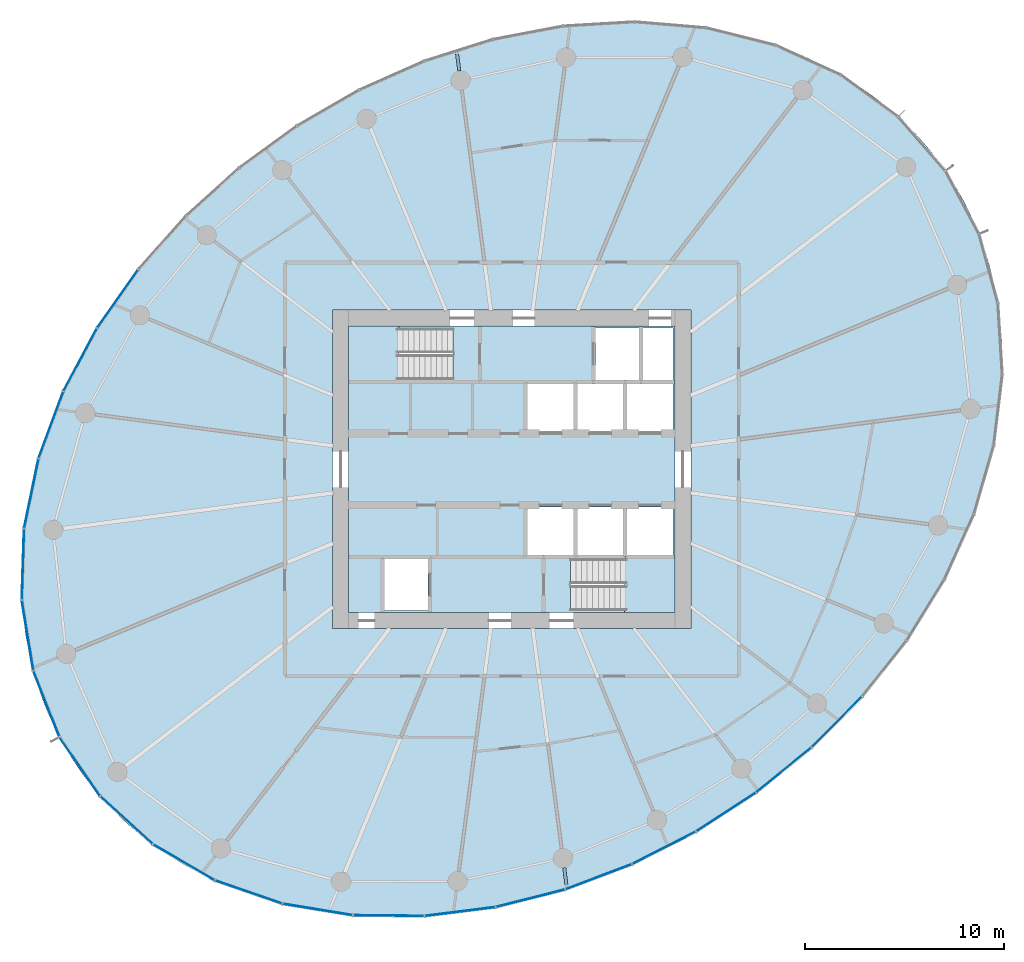
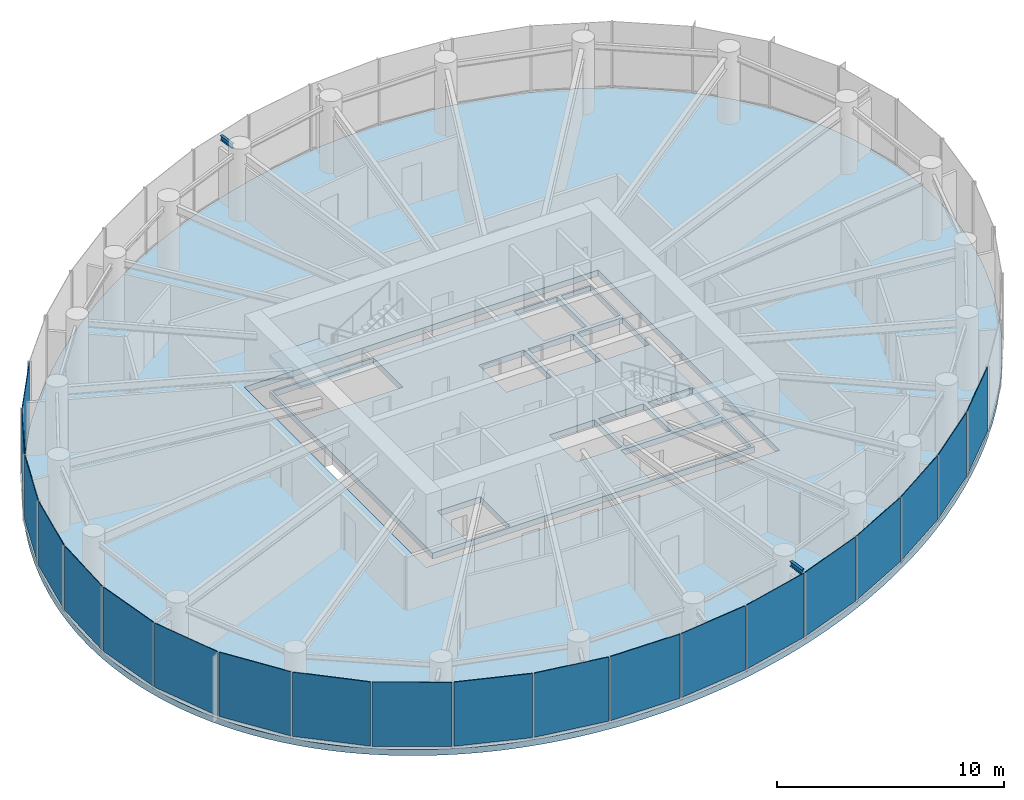
# One storey, part 7 of 14: 20 plates, 4 slabs, 2 beams, 6 elements without a shape of their own.
"""IFC4 building model written with IfcOpenShell, lengths in metres."""

from ifc_helpers import new_model, si_unit, direction, frame, origin, origin_2d, place, context, subcontext, project, spatial, line, indexed_curve, rectangle, i_section, outline, extrude, source, transform, mapped, material, layer, layer_set, material_profile, profile_set, type_object, element, aggregate, save


model = new_model("IFC4")

# Units and contexts
model_context = context("Model", 3, precision=1e-05, world=origin(), true_north=direction((0.0, 1.0)))
body_context = subcontext(model_context, "Body", "Model", "MODEL_VIEW")
ifc_project = project(units=[si_unit("LENGTHUNIT", "METRE"), si_unit("AREAUNIT", "SQUARE_METRE"), si_unit("VOLUMEUNIT", "CUBIC_METRE"), si_unit("PLANEANGLEUNIT", "RADIAN"), si_unit("MASSUNIT", "GRAM", prefix="KILO")], contexts=[model_context])

# Site, building, storey
site_placement = place(None, origin())
site = spatial("IfcSite", under=ifc_project, at=site_placement, CompositionType="ELEMENT")
building_placement = place(site_placement, origin())
building = spatial("IfcBuilding", under=site, at=building_placement, Name="Spindrift Exchange Tower", CompositionType="ELEMENT")
storey_placement = place(building_placement, frame((0.0, 0.0, 148.699951171875)))
storey = spatial("IfcBuildingStorey", under=building, at=storey_placement, Name="L35", CompositionType="ELEMENT", Elevation=148.699951171875)

# Beams
ifc_material_1 = material(Name="Steel Grade 300", Category="steel")
ifc_material_profile = material_profile(ifc_material_1, i_section(OverallWidth=0.14599609375, OverallDepth=0.251953125, WebThickness=0.006103515625, FlangeThickness=0.008544921875, FilletRadius=0.011962890625, at=origin_2d()), Name="250UB31.4")
ifc_profile_set = profile_set([ifc_material_profile], Name="Steel Grade 300")
beam_type = type_object("IfcBeamType", Name="Cantilever Beam 250UB31.4 Steel Grade 300", PredefinedType="BEAM", material=ifc_profile_set)
shared_shape_1 = source(origin(), body_context, "Body", "SweptSolid", [
    extrude(i_section(OverallWidth=0.14599609375, OverallDepth=0.251953125, WebThickness=0.006103515625, FlangeThickness=0.008544921875, FilletRadius=0.011962890625, at=origin_2d()), origin(), (0.0, 0.0, 1.0), 0.859619140625),
])
for number, where, z_axis, x_axis, name in (
    (1, (49.36328125, 68.027099609375, 3.4541015625), (-0.130359005339, 0.991466857604, 0.0), (-0.991466857604, -0.130359005339, 0.0), "L35 cantilever beam R07T"),
    (2, (54.63671875, 27.972900390625, 3.4541015625), (0.130359005339, -0.991466857604, 0.0), (0.991466857604, 0.130359005339, 0.0), "L35 cantilever beam R19T"),
):
    element("IfcBeam", number, at=place(storey_placement, frame(where, z_axis=z_axis, x_axis=x_axis)), inside=storey, type_object=beam_type, Name=name, PredefinedType="BEAM", context=body_context, shape_type="MappedRepresentation", body=[
        mapped(shared_shape_1, transform((0.0, 0.0, 0.0), scale=1.0)),
    ])

# Slabs
ifc_material_2 = material(Name="Concrete 40 MPa", Category="concrete")
ifc_layer_1 = layer(ifc_material_2, 0.320068359375)
ifc_layer_set_1 = layer_set([ifc_layer_1], Name="RC Floor Slab 320 Concrete 40 MPa")
slab_type_1 = type_object("IfcSlabType", Name="RC Floor Slab 320 Concrete 40 MPa", PredefinedType="FLOOR", material=ifc_layer_set_1)
slab_1_placement = place(storey_placement, frame((0.0, 0.0, -0.320068359375)))
element("IfcSlab", 3, at=slab_1_placement, inside=storey, type_object=slab_type_1, Name="Floor slab L35", PredefinedType="FLOOR", context=body_context, shape_type="SweptSolid", body=[
    extrude(outline(indexed_curve([(73.79736328125, 63.002685546875), (73.560302734375, 63.337646484375), (73.314697265625, 63.666259765625), (73.060546875, 63.98828125), (72.7978515625, 64.303466796875), (72.52734375, 64.61181640625), (72.248779296875, 64.9130859375), (71.96240234375, 65.20703125), (71.668701171875, 65.493408203125), (71.367919921875, 65.7724609375), (71.06005859375, 66.043701171875), (70.745361328125, 66.306884765625), (70.42431640625, 66.562255859375), (70.096923828125, 66.809814453125), (69.4248046875, 67.2802734375), (68.730712890625, 67.7177734375), (68.376220703125, 67.92431640625), (67.6533203125, 68.312255859375), (66.91357421875, 68.667236328125), (66.537841796875, 68.832275390625), (65.7763671875, 69.137939453125), (65.002685546875, 69.4111328125), (64.61181640625, 69.53564453125), (63.82275390625, 69.760986328125), (63.025390625, 69.954833984375), (62.624267578125, 70.040283203125), (61.817138671875, 70.188720703125), (61.41162109375, 70.251708984375), (60.597900390625, 70.355712890625), (59.78076171875, 70.43115234375), (59.371337890625, 70.458251953125), (58.961669921875, 70.478515625), (58.141357421875, 70.49853515625), (57.73095703125, 70.49853515625), (56.91064453125, 70.47900390625), (56.09130859375, 70.433837890625), (55.682373046875, 70.40185546875), (54.865966796875, 70.319580078125), (54.458740234375, 70.269287109375), (54.05224609375, 70.213134765625), (53.2421875, 70.08349609375), (52.83837890625, 70.010009765625), (52.034423828125, 69.845947265625), (51.63427734375, 69.755859375), (50.83740234375, 69.55908203125), (50.44140625, 69.45263671875), (49.6533203125, 69.224365234375), (49.261474609375, 69.102294921875), (48.48291015625, 68.84326171875), (47.711181640625, 68.564453125), (47.327880859375, 68.41748046875), (46.94677734375, 68.26611328125), (46.18994140625, 67.94873046875), (45.814697265625, 67.782958984375), (45.0703125, 67.437744140625), (43.969970703125, 66.885986328125), (42.890380859375, 66.294921875), (41.8330078125, 65.6650390625), (41.140869140625, 65.224365234375), (40.45947265625, 64.767333984375), (39.7890625, 64.2939453125), (39.130126953125, 63.804931640625), (38.164306640625, 63.0419921875), (37.2265625, 62.244873046875), (36.318603515625, 61.4140625), (35.730224609375, 60.842041015625), (35.44140625, 60.550537109375), (34.874755859375, 59.95703125), (34.596923828125, 59.655029296875), (34.322998046875, 59.349609375), (33.787109375, 58.728515625), (33.52490234375, 58.41259765625), (33.01318359375, 57.771240234375), (32.763671875, 57.445556640625), (32.277587890625, 56.784423828125), (31.809326171875, 56.110595703125), (31.58203125, 55.76904296875), (31.141845703125, 55.07666015625), (30.92919921875, 54.725830078125), (30.5185546875, 54.015380859375), (30.321044921875, 53.65576171875), (30.128662109375, 53.293212890625), (29.76025390625, 52.560302734375), (29.584228515625, 52.189453125), (29.24951171875, 51.4404296875), (28.938232421875, 50.68115234375), (28.791748046875, 50.2978515625), (28.517578125, 49.5244140625), (28.39013671875, 49.134521484375), (28.1552734375, 48.348388671875), (28.048095703125, 47.952392578125), (27.8544921875, 47.15478515625), (27.7685546875, 46.753662109375), (27.618896484375, 45.947021484375), (27.555419921875, 45.54150390625), (27.451904296875, 44.7275390625), (27.380615234375, 43.91015625), (27.357421875, 43.50048828125), (27.336181640625, 42.680419921875), (27.349853515625, 41.85986328125), (27.369873046875, 41.4501953125), (27.437255859375, 40.63232421875), (27.54150390625, 39.818603515625), (27.607666015625, 39.41357421875), (27.7685546875, 38.60888671875), (27.968017578125, 37.81298828125), (28.082275390625, 37.419189453125), (28.2060546875, 37.028076171875), (28.33984375, 36.639892578125), (28.483154296875, 36.255615234375), (28.63623046875, 35.875), (28.798828125, 35.498291015625), (28.97119140625, 35.1259765625), (29.153076171875, 34.75830078125), (29.344482421875, 34.395263671875), (29.545166015625, 34.03759765625), (29.755126953125, 33.68505859375), (29.974365234375, 33.338134765625), (30.20263671875, 32.997314453125), (30.439697265625, 32.662353515625), (30.685302734375, 32.333740234375), (30.939453125, 32.01171875), (31.2021484375, 31.696533203125), (31.47265625, 31.38818359375), (31.751220703125, 31.0869140625), (32.03759765625, 30.79296875), (32.331298828125, 30.506591796875), (32.632080078125, 30.2275390625), (32.93994140625, 29.956298828125), (33.254638671875, 29.693115234375), (33.57568359375, 29.437744140625), (33.903076171875, 29.190185546875), (34.5751953125, 28.7197265625), (35.269287109375, 28.2822265625), (35.623779296875, 28.07568359375), (36.3466796875, 27.687744140625), (37.08642578125, 27.332763671875), (37.462158203125, 27.167724609375), (38.2236328125, 26.862060546875), (38.997314453125, 26.5888671875), (39.38818359375, 26.46435546875), (40.17724609375, 26.239013671875), (40.974609375, 26.045166015625), (41.375732421875, 25.959716796875), (42.182861328125, 25.811279296875), (42.58837890625, 25.748291015625), (43.402099609375, 25.644287109375), (44.21923828125, 25.56884765625), (44.628662109375, 25.541748046875), (45.038330078125, 25.521484375), (45.858642578125, 25.50146484375), (46.67919921875, 25.5078125), (47.08935546875, 25.52099609375), (47.90869140625, 25.566162109375), (48.317626953125, 25.59814453125), (49.134033203125, 25.680419921875), (49.541259765625, 25.730712890625), (49.94775390625, 25.786865234375), (50.7578125, 25.91650390625), (51.16162109375, 25.989990234375), (51.965576171875, 26.154052734375), (52.36572265625, 26.244140625), (53.16259765625, 26.44091796875), (53.55859375, 26.54736328125), (54.3466796875, 26.775634765625), (54.738525390625, 26.897705078125), (55.51708984375, 27.15673828125), (56.288818359375, 27.435546875), (56.672119140625, 27.58251953125), (57.05322265625, 27.73388671875), (57.81005859375, 28.05126953125), (58.185302734375, 28.217041015625), (58.9296875, 28.562255859375), (60.030029296875, 29.114013671875), (61.109619140625, 29.705078125), (62.1669921875, 30.3349609375), (62.859130859375, 30.775634765625), (63.54052734375, 31.232666015625), (64.2109375, 31.7060546875), (64.869873046875, 32.195068359375), (65.835693359375, 32.9580078125), (66.7734375, 33.755126953125), (67.681396484375, 34.5859375), (68.269775390625, 35.157958984375), (68.55859375, 35.449462890625), (69.125244140625, 36.04296875), (69.403076171875, 36.344970703125), (69.677001953125, 36.650390625), (70.212890625, 37.271484375), (70.47509765625, 37.58740234375), (70.98681640625, 38.228759765625), (71.236328125, 38.554443359375), (71.722412109375, 39.215576171875), (72.190673828125, 39.889404296875), (72.41796875, 40.23095703125), (72.858154296875, 40.92333984375), (73.07080078125, 41.274169921875), (73.4814453125, 41.984619140625), (73.678955078125, 42.34423828125), (73.871337890625, 42.706787109375), (74.23974609375, 43.439697265625), (74.415771484375, 43.810546875), (74.75048828125, 44.5595703125), (75.061767578125, 45.31884765625), (75.208251953125, 45.7021484375), (75.482421875, 46.4755859375), (75.60986328125, 46.865478515625), (75.8447265625, 47.651611328125), (75.951904296875, 48.047607421875), (76.1455078125, 48.84521484375), (76.2314453125, 49.246337890625), (76.381103515625, 50.052978515625), (76.444580078125, 50.45849609375), (76.548095703125, 51.2724609375), (76.619384765625, 52.08984375), (76.642578125, 52.49951171875), (76.663818359375, 53.319580078125), (76.650146484375, 54.14013671875), (76.630126953125, 54.5498046875), (76.562744140625, 55.36767578125), (76.45849609375, 56.181396484375), (76.392333984375, 56.58642578125), (76.2314453125, 57.39111328125), (76.031982421875, 58.18701171875), (75.917724609375, 58.580810546875), (75.7939453125, 58.971923828125), (75.66015625, 59.360107421875), (75.516845703125, 59.744384765625), (75.36376953125, 60.125), (75.201171875, 60.501708984375), (75.02880859375, 60.8740234375), (74.846923828125, 61.24169921875), (74.655517578125, 61.604736328125), (74.454833984375, 61.96240234375), (74.244873046875, 62.31494140625), (74.025634765625, 62.661865234375)], segments=[line(1, 2, 3, 4, 5, 6, 7, 8, 9, 10, 11, 12, 13, 14, 15, 16, 17, 18, 19, 20, 21, 22, 23, 24, 25, 26, 27, 28, 29, 30, 31, 32, 33, 34, 35, 36, 37, 38, 39, 40, 41, 42, 43, 44, 45, 46, 47, 48, 49, 50, 51, 52, 53, 54, 55, 56, 57, 58, 59, 60, 61, 62, 63, 64, 65, 66, 67, 68, 69, 70, 71, 72, 73, 74, 75, 76, 77, 78, 79, 80, 81, 82, 83, 84, 85, 86, 87, 88, 89, 90, 91, 92, 93, 94, 95, 96, 97, 98, 99, 100, 101, 102, 103, 104, 105, 106, 107, 108, 109, 110, 111, 112, 113, 114, 115, 116, 117, 118, 119, 120, 121, 122, 123, 124, 125, 126, 127, 128, 129, 130, 131, 132, 133, 134, 135, 136, 137, 138, 139, 140, 141, 142, 143, 144, 145, 146, 147, 148, 149, 150, 151, 152, 153, 154, 155, 156, 157, 158, 159, 160, 161, 162, 163, 164, 165, 166, 167, 168, 169, 170, 171, 172, 173, 174, 175, 176, 177, 178, 179, 180, 181, 182, 183, 184, 185, 186, 187, 188, 189, 190, 191, 192, 193, 194, 195, 196, 197, 198, 199, 200, 201, 202, 203, 204, 205, 206, 207, 208, 209, 210, 211, 212, 213, 214, 215, 216, 217, 218, 219, 220, 221, 222, 223, 224, 225, 226, 227, 228, 229, 230, 231, 232, 233, 234, 235, 236, 1)], self_intersect=False), holes=[indexed_curve([(43.0, 40.0), (61.0, 40.0), (61.0, 56.0), (43.0, 56.0)], segments=[line(1, 2, 3, 4, 1)], self_intersect=False)]), origin(), (0.0, 0.0, 1.0), 0.320068359375),
])
ifc_material_3 = material(Name="Concrete 50 MPa", Category="concrete")
ifc_layer_2 = layer(ifc_material_3, 0.320068359375)
ifc_layer_set_2 = layer_set([ifc_layer_2], Name="SL-CORE-FLOOR-320")
slab_type_2 = type_object("IfcSlabType", Name="SL-CORE-FLOOR-320", PredefinedType="FLOOR", material=ifc_layer_set_2)
slab_2_placement = place(storey_placement, frame((0.0, 0.0, -0.320068359375)))
element("IfcSlab", 4, at=slab_2_placement, inside=storey, type_object=slab_type_2, Name="L35 Core floor slab", PredefinedType="FLOOR", context=body_context, shape_type="SweptSolid", body=[
    extrude(outline(indexed_curve([(43.800048828125, 40.800048828125), (43.800048828125, 55.199951171875), (60.199951171875, 55.199951171875), (60.199951171875, 40.800048828125)], segments=[line(1, 2, 3, 4, 1)], self_intersect=False), holes=[indexed_curve([(45.60009765625, 43.5), (45.60009765625, 40.89990234375), (47.800048828125, 40.89990234375), (47.800048828125, 43.5)], segments=[line(1, 2, 3, 4, 1)], self_intersect=False), indexed_curve([(52.800048828125, 46.10009765625), (52.800048828125, 43.699951171875), (55.10009765625, 43.699951171875), (55.10009765625, 46.10009765625)], segments=[line(1, 2, 3, 4, 1)], self_intersect=False), indexed_curve([(55.300048828125, 46.10009765625), (55.300048828125, 43.699951171875), (57.60009765625, 43.699951171875), (57.60009765625, 46.10009765625)], segments=[line(1, 2, 3, 4, 1)], self_intersect=False), indexed_curve([(55.10009765625, 52.300048828125), (52.800048828125, 52.300048828125), (52.800048828125, 49.89990234375), (55.10009765625, 49.89990234375)], segments=[line(1, 2, 3, 4, 1)], self_intersect=False), indexed_curve([(57.60009765625, 52.300048828125), (55.300048828125, 52.300048828125), (55.300048828125, 49.89990234375), (57.60009765625, 49.89990234375)], segments=[line(1, 2, 3, 4, 1)], self_intersect=False), indexed_curve([(43.906005859375, 52.506103515625), (49.0439453125, 52.506103515625), (49.0439453125, 55.093994140625), (43.906005859375, 55.093994140625)], segments=[line(1, 2, 3, 4, 1)], self_intersect=False), indexed_curve([(60.093994140625, 40.906005859375), (60.093994140625, 43.493896484375), (54.9560546875, 43.493896484375), (54.9560546875, 40.906005859375)], segments=[line(1, 2, 3, 4, 1)], self_intersect=False), indexed_curve([(60.10009765625, 46.10009765625), (57.800048828125, 46.10009765625), (57.800048828125, 43.699951171875), (60.10009765625, 43.699951171875)], segments=[line(1, 2, 3, 4, 1)], self_intersect=False), indexed_curve([(57.800048828125, 52.300048828125), (57.800048828125, 49.89990234375), (60.10009765625, 49.89990234375), (60.10009765625, 52.300048828125)], segments=[line(1, 2, 3, 4, 1)], self_intersect=False), indexed_curve([(58.39990234375, 55.10009765625), (56.199951171875, 55.10009765625), (56.199951171875, 52.5), (58.39990234375, 52.5)], segments=[line(1, 2, 3, 4, 1)], self_intersect=False), indexed_curve([(60.10009765625, 55.10009765625), (58.60009765625, 55.10009765625), (58.60009765625, 52.5), (60.10009765625, 52.5)], segments=[line(1, 2, 3, 4, 1)], self_intersect=False)]), origin(), (0.0, 0.0, 1.0), 0.320068359375),
])

# Stair, slab
stair_type = type_object("IfcStairType", Name="ST-1250-R177", PredefinedType="HALF_TURN_STAIR", material=ifc_material_3)
stair_1_placement = place(storey_placement, origin())
stair_1 = element("IfcStair", 5, at=stair_1_placement, inside=storey, type_object=stair_type, Name="L35 Exit stair ST1", PredefinedType="HALF_TURN_STAIR")
ifc_layer_3 = layer(ifc_material_3, 0.199951171875)
ifc_layer_set_3 = layer_set([ifc_layer_3], Name="SL-LANDING")
slab_type_3 = type_object("IfcSlabType", Name="SL-LANDING", PredefinedType="LANDING", material=ifc_layer_set_3)
slab_3_placement = place(storey_placement, frame((0.0, 0.0, 1.75)))
slab_3 = element("IfcSlab", 6, at=slab_3_placement, type_object=slab_type_3, Name="ST1 landing 1", PredefinedType="LANDING", context=body_context, shape_type="SweptSolid", body=[
    extrude(outline(indexed_curve([(46.330078125, 52.39990234375), (43.800048828125, 52.39990234375), (43.800048828125, 55.199951171875), (46.330078125, 55.199951171875)], segments=[line(1, 2, 3, 4, 1)], self_intersect=False)), origin(), (0.0, 0.0, 1.0), 0.199951171875),
])
aggregate(stair_1, [slab_3])

stair_2_placement = place(storey_placement, origin())
stair_2 = element("IfcStair", 7, at=stair_2_placement, inside=storey, type_object=stair_type, Name="L35 Exit stair ST2", PredefinedType="HALF_TURN_STAIR")
slab_4_placement = place(storey_placement, frame((0.0, 0.0, 1.75)))
slab_4 = element("IfcSlab", 8, at=slab_4_placement, type_object=slab_type_3, Name="ST2 landing 1", PredefinedType="LANDING", context=body_context, shape_type="SweptSolid", body=[
    extrude(outline(indexed_curve([(57.669921875, 43.60009765625), (60.199951171875, 43.60009765625), (60.199951171875, 40.800048828125), (57.669921875, 40.800048828125)], segments=[line(1, 2, 3, 4, 1)], self_intersect=False)), origin(), (0.0, 0.0, 1.0), 0.199951171875),
])
aggregate(stair_2, [slab_4])

# Curtain wall, plate
ifc_material_4 = material(Name="Fritted laminated glass with bronze frame", Category="glass")
ifc_layer_4 = layer(ifc_material_4, 0.179931640625)
ifc_layer_set_4 = layer_set([ifc_layer_4], Name="ZONE 3 BRONZE FRITTED WALL")
curtain_wall_type = type_object("IfcCurtainWallType", Name="ZONE 3 BRONZE FRITTED WALL", PredefinedType="NOTDEFINED", material=ifc_layer_set_4)
curtain_wall_1_placement = place(storey_placement, origin())
curtain_wall_1 = element("IfcCurtainWall", 9, at=curtain_wall_1_placement, inside=storey, type_object=curtain_wall_type, Name="L35 Zone 3 Bronze Fritted Wall run 5", PredefinedType="NOTDEFINED")
ifc_material_5 = material(Name="Bronze fritted laminated glass, open frit", Category="glass")
ifc_layer_5 = layer(ifc_material_5, 0.031982421875)
ifc_layer_set_5 = layer_set([ifc_layer_5], Name="ZONE 3 BRONZE FRITTED WALL PANEL OPEN FRIT 360")
plate_type_1 = type_object("IfcPlateType", Name="ZONE 3 BRONZE FRITTED WALL PANEL OPEN FRIT 360", PredefinedType="CURTAIN_PANEL", material=ifc_layer_set_5)
shared_shape_2 = source(origin(), body_context, "Body", "SweptSolid", [
    extrude(rectangle(XDim=3.530517578125, YDim=0.031982421875, at=origin_2d()), origin(), (0.0, 0.0, 1.0), 3.449951171875),
])
plate_1_placement = place(storey_placement, frame((52.936279296875, 26.4375, 0.1298828125), z_axis=(0.0, 0.0, 1.0), x_axis=(0.969404663065, 0.245468122632, 0.0)))
plate_1 = element("IfcPlate", 10, at=plate_1_placement, type_object=plate_type_1, Name="L35 panel CW-3.28", PredefinedType="CURTAIN_PANEL", context=body_context, shape_type="MappedRepresentation", body=[
    mapped(shared_shape_2, transform((0.0, 0.0, 0.0), scale=1.0)),
])

# Curtain wall, plates
curtain_wall_2_placement = place(storey_placement, origin())
curtain_wall_2 = element("IfcCurtainWall", 11, at=curtain_wall_2_placement, inside=storey, type_object=curtain_wall_type, Name="L35 Zone 3 Bronze Fritted Wall run 6", PredefinedType="NOTDEFINED")
ifc_layer_6 = layer(ifc_material_5, 0.031982421875)
ifc_layer_set_6 = layer_set([ifc_layer_6], Name="ZONE 3 BRONZE FRITTED WALL PANEL OPEN FRIT 600")
plate_type_2 = type_object("IfcPlateType", Name="ZONE 3 BRONZE FRITTED WALL PANEL OPEN FRIT 600", PredefinedType="CURTAIN_PANEL", material=ifc_layer_set_6)
shared_shape_3 = source(origin(), body_context, "Body", "SweptSolid", [
    extrude(rectangle(XDim=3.531005859375, YDim=0.031982421875, at=origin_2d()), origin(), (0.0, 0.0, 1.0), 3.449951171875),
])
plate_2_placement = place(storey_placement, frame((65.673828125, 32.88720703125, 0.1298828125), z_axis=(0.0, 0.0, 1.0), x_axis=(0.776561293012, 0.630041711473, 0.0)))
plate_2 = element("IfcPlate", 12, at=plate_2_placement, type_object=plate_type_2, Name="L35 panel CW-3.32", PredefinedType="CURTAIN_PANEL", context=body_context, shape_type="MappedRepresentation", body=[
    mapped(shared_shape_3, transform((0.0, 0.0, 0.0), scale=1.0)),
])
shared_shape_4 = source(origin(), body_context, "Body", "SweptSolid", [
    extrude(rectangle(XDim=3.531005859375, YDim=0.031982421875, at=origin_2d()), origin(), (0.0, 0.0, 1.0), 3.449951171875),
])
plate_3_placement = place(storey_placement, frame((62.766357421875, 30.771484375, 0.1298828125), z_axis=(0.0, 0.0, 1.0), x_axis=(0.838323438121, 0.545173195505, 0.0)))
plate_3 = element("IfcPlate", 13, at=plate_3_placement, type_object=plate_type_1, Name="L35 panel CW-3.31", PredefinedType="CURTAIN_PANEL", context=body_context, shape_type="MappedRepresentation", body=[
    mapped(shared_shape_4, transform((0.0, 0.0, 0.0), scale=1.0)),
])

# Plate
shared_shape_5 = source(origin(), body_context, "Body", "SweptSolid", [
    extrude(rectangle(XDim=3.53076171875, YDim=0.031982421875, at=origin_2d()), origin(), (0.0, 0.0, 1.0), 3.449951171875),
])
plate_4_placement = place(storey_placement, frame((59.652587890625, 28.972900390625, 0.1298828125), z_axis=(0.0, 0.0, 1.0), x_axis=(0.89110950843, 0.453788325088, 0.0)))
plate_4 = element("IfcPlate", 14, at=plate_4_placement, type_object=plate_type_1, Name="L35 panel CW-3.30", PredefinedType="CURTAIN_PANEL", context=body_context, shape_type="MappedRepresentation", body=[
    mapped(shared_shape_5, transform((0.0, 0.0, 0.0), scale=1.0)),
])

# Curtain wall, plate
curtain_wall_3_placement = place(storey_placement, origin())
curtain_wall_3 = element("IfcCurtainWall", 15, at=curtain_wall_3_placement, inside=storey, type_object=curtain_wall_type, Name="L35 Zone 3 Bronze Fritted Wall run 3", PredefinedType="NOTDEFINED")
shared_shape_6 = source(origin(), body_context, "Body", "SweptSolid", [
    extrude(rectangle(XDim=3.530517578125, YDim=0.031982421875, at=origin_2d()), origin(), (0.0, 0.0, 1.0), 3.449951171875),
])
plate_5_placement = place(storey_placement, frame((32.193603515625, 56.574462890625, 0.1298828125), z_axis=(0.0, 0.0, 1.0), x_axis=(-0.57545211164, -0.817835476859, 0.0)))
plate_5 = element("IfcPlate", 16, at=plate_5_placement, type_object=plate_type_2, Name="L35 panel CW-3.14", PredefinedType="CURTAIN_PANEL", context=body_context, shape_type="MappedRepresentation", body=[
    mapped(shared_shape_6, transform((0.0, 0.0, 0.0), scale=1.0)),
])

# Plate
ifc_layer_7 = layer(ifc_material_5, 0.031982421875)
ifc_layer_set_7 = layer_set([ifc_layer_7], Name="ZONE 3 BRONZE FRITTED WALL PANEL OPEN FRIT 480")
plate_type_3 = type_object("IfcPlateType", Name="ZONE 3 BRONZE FRITTED WALL PANEL OPEN FRIT 480", PredefinedType="CURTAIN_PANEL", material=ifc_layer_set_7)
shared_shape_7 = source(origin(), body_context, "Body", "SweptSolid", [
    extrude(rectangle(XDim=3.529541015625, YDim=0.031982421875, at=origin_2d()), origin(), (0.0, 0.0, 1.0), 3.449951171875),
])
plate_6_placement = place(storey_placement, frame((45.8193359375, 25.56591796875, 0.1298828125), z_axis=(0.0, 0.0, 1.0), x_axis=(0.99994573448, -0.010417681861, 0.0)))
plate_6 = element("IfcPlate", 17, at=plate_6_placement, type_object=plate_type_3, Name="L35 panel CW-3.26", PredefinedType="CURTAIN_PANEL", context=body_context, shape_type="MappedRepresentation", body=[
    mapped(shared_shape_7, transform((0.0, 0.0, 0.0), scale=1.0)),
])

# Curtain wall, plate
curtain_wall_4_placement = place(storey_placement, origin())
curtain_wall_4 = element("IfcCurtainWall", 18, at=curtain_wall_4_placement, inside=storey, type_object=curtain_wall_type, Name="L35 Zone 3 Bronze Fritted Wall run 4", PredefinedType="NOTDEFINED")
shared_shape_8 = source(origin(), body_context, "Body", "SweptSolid", [
    extrude(rectangle(XDim=3.525146484375, YDim=0.031982421875, at=origin_2d()), origin(), (0.0, 0.0, 1.0), 3.449951171875),
])
plate_7_placement = place(storey_placement, frame((28.609130859375, 36.20849609375, 0.1298828125), z_axis=(0.0, 0.0, 1.0), x_axis=(0.366946129288, -0.930242193303, 0.0)))
plate_7 = element("IfcPlate", 19, at=plate_7_placement, type_object=plate_type_2, Name="L35 panel CW-3.20", PredefinedType="CURTAIN_PANEL", context=body_context, shape_type="MappedRepresentation", body=[
    mapped(shared_shape_8, transform((0.0, 0.0, 0.0), scale=1.0)),
])

# Plate
shared_shape_9 = source(origin(), body_context, "Body", "SweptSolid", [
    extrude(rectangle(XDim=3.527587890625, YDim=0.031982421875, at=origin_2d()), origin(), (0.0, 0.0, 1.0), 3.449951171875),
])
plate_8_placement = place(storey_placement, frame((27.4287109375, 43.22802734375, 0.1298828125), z_axis=(0.0, 0.0, 1.0), x_axis=(-0.031993406033, -0.999488079954, 0.0)))
plate_8 = element("IfcPlate", 20, at=plate_8_placement, type_object=plate_type_2, Name="L35 panel CW-3.18", PredefinedType="CURTAIN_PANEL", context=body_context, shape_type="MappedRepresentation", body=[
    mapped(shared_shape_9, transform((0.0, 0.0, 0.0), scale=1.0)),
])

plate_9_placement = place(storey_placement, frame((38.768310546875, 26.752685546875, 0.1298828125), z_axis=(0.0, 0.0, 1.0), x_axis=(0.945016282268, -0.327023280898, 0.0)))
plate_9 = element("IfcPlate", 21, at=plate_9_placement, type_object=plate_type_2, Name="L35 panel CW-3.24", PredefinedType="CURTAIN_PANEL", context=body_context, shape_type="MappedRepresentation", body=[
    mapped(shared_shape_9, transform((0.0, 0.0, 0.0), scale=1.0)),
])

shared_shape_10 = source(origin(), body_context, "Body", "SweptSolid", [
    extrude(rectangle(XDim=3.53076171875, YDim=0.031982421875, at=origin_2d()), origin(), (0.0, 0.0, 1.0), 3.449951171875),
])
plate_10_placement = place(storey_placement, frame((56.36474609375, 27.517578125, 0.1298828125), z_axis=(0.0, 0.0, 1.0), x_axis=(0.935062224022, 0.354483620505, 0.0)))
plate_10 = element("IfcPlate", 22, at=plate_10_placement, type_object=plate_type_3, Name="L35 panel CW-3.29", PredefinedType="CURTAIN_PANEL", context=body_context, shape_type="MappedRepresentation", body=[
    mapped(shared_shape_10, transform((0.0, 0.0, 0.0), scale=1.0)),
])

plate_11_placement = place(storey_placement, frame((68.34130859375, 35.298583984375, 0.1298828125), z_axis=(0.0, 0.0, 1.0), x_axis=(0.704979649653, 0.709227533007, 0.0)))
plate_11 = element("IfcPlate", 23, at=plate_11_placement, type_object=plate_type_3, Name="L35 panel CW-3.33", PredefinedType="CURTAIN_PANEL", context=body_context, shape_type="MappedRepresentation", body=[
    mapped(shared_shape_10, transform((0.0, 0.0, 0.0), scale=1.0)),
])

aggregate(curtain_wall_2, [plate_3, plate_2, plate_11])

shared_shape_11 = source(origin(), body_context, "Body", "SweptSolid", [
    extrude(rectangle(XDim=3.530029296875, YDim=0.031982421875, at=origin_2d()), origin(), (0.0, 0.0, 1.0), 3.449951171875),
])
plate_12_placement = place(storey_placement, frame((30.310302734375, 53.513916015625, 0.1298828125), z_axis=(0.0, 0.0, 1.0), x_axis=(-0.470690073109, -0.882298620126, 0.0)))
plate_12 = element("IfcPlate", 24, at=plate_12_placement, type_object=plate_type_3, Name="L35 panel CW-3.15", PredefinedType="CURTAIN_PANEL", context=body_context, shape_type="MappedRepresentation", body=[
    mapped(shared_shape_11, transform((0.0, 0.0, 0.0), scale=1.0)),
])

plate_13_placement = place(storey_placement, frame((49.405029296875, 25.771484375, 0.1298828125), z_axis=(0.0, 0.0, 1.0), x_axis=(0.992209788078, 0.12457823422, 0.0)))
plate_13 = element("IfcPlate", 25, at=plate_13_placement, type_object=plate_type_3, Name="L35 panel CW-3.27", PredefinedType="CURTAIN_PANEL", context=body_context, shape_type="MappedRepresentation", body=[
    mapped(shared_shape_11, transform((0.0, 0.0, 0.0), scale=1.0)),
])

shared_shape_12 = source(origin(), body_context, "Body", "SweptSolid", [
    extrude(rectangle(XDim=3.525146484375, YDim=0.031982421875, at=origin_2d()), origin(), (0.0, 0.0, 1.0), 3.449951171875),
])
plate_14_placement = place(storey_placement, frame((32.633056640625, 30.362060546875, 0.1298828125), z_axis=(0.0, 0.0, 1.0), x_axis=(0.737878399604, -0.674933676296, 0.0)))
plate_14 = element("IfcPlate", 26, at=plate_14_placement, type_object=plate_type_3, Name="L35 panel CW-3.22", PredefinedType="CURTAIN_PANEL", context=body_context, shape_type="MappedRepresentation", body=[
    mapped(shared_shape_12, transform((0.0, 0.0, 0.0), scale=1.0)),
])

shared_shape_13 = source(origin(), body_context, "Body", "SweptSolid", [
    extrude(rectangle(XDim=3.524658203125, YDim=0.031982421875, at=origin_2d()), origin(), (0.0, 0.0, 1.0), 3.449951171875),
])
plate_15_placement = place(storey_placement, frame((30.28759765625, 33.055908203125, 0.1298828125), z_axis=(0.0, 0.0, 1.0), x_axis=(0.5669526935, -0.823750352554, 0.0)))
plate_15 = element("IfcPlate", 27, at=plate_15_placement, type_object=plate_type_1, Name="L35 panel CW-3.21", PredefinedType="CURTAIN_PANEL", context=body_context, shape_type="MappedRepresentation", body=[
    mapped(shared_shape_13, transform((0.0, 0.0, 0.0), scale=1.0)),
])

shared_shape_14 = source(origin(), body_context, "Body", "SweptSolid", [
    extrude(rectangle(XDim=3.529541015625, YDim=0.031982421875, at=origin_2d()), origin(), (0.0, 0.0, 1.0), 3.449951171875),
])
plate_16_placement = place(storey_placement, frame((28.838134765625, 50.238037109375, 0.1298828125), z_axis=(0.0, 0.0, 1.0), x_axis=(-0.347351396417, -0.937735041154, 0.0)))
plate_16 = element("IfcPlate", 28, at=plate_16_placement, type_object=plate_type_1, Name="L35 panel CW-3.16", PredefinedType="CURTAIN_PANEL", context=body_context, shape_type="MappedRepresentation", body=[
    mapped(shared_shape_14, transform((0.0, 0.0, 0.0), scale=1.0)),
])

shared_shape_15 = source(origin(), body_context, "Body", "SweptSolid", [
    extrude(rectangle(XDim=3.528564453125, YDim=0.031982421875, at=origin_2d()), origin(), (0.0, 0.0, 1.0), 3.449951171875),
])
plate_17_placement = place(storey_placement, frame((27.849609375, 46.7880859375, 0.1298828125), z_axis=(0.0, 0.0, 1.0), x_axis=(-0.201937813262, -0.979398345708, 0.0)))
plate_17 = element("IfcPlate", 29, at=plate_17_placement, type_object=plate_type_1, Name="L35 panel CW-3.17", PredefinedType="CURTAIN_PANEL", context=body_context, shape_type="MappedRepresentation", body=[
    mapped(shared_shape_15, transform((0.0, 0.0, 0.0), scale=1.0)),
])

aggregate(curtain_wall_3, [plate_5, plate_12, plate_16, plate_17, plate_8])

plate_18_placement = place(storey_placement, frame((42.243896484375, 25.87451171875, 0.1298828125), z_axis=(0.0, 0.0, 1.0), x_axis=(0.986935135503, -0.161118088091, 0.0)))
plate_18 = element("IfcPlate", 30, at=plate_18_placement, type_object=plate_type_1, Name="L35 panel CW-3.25", PredefinedType="CURTAIN_PANEL", context=body_context, shape_type="MappedRepresentation", body=[
    mapped(shared_shape_15, transform((0.0, 0.0, 0.0), scale=1.0)),
])

aggregate(curtain_wall_1, [plate_18, plate_6, plate_13, plate_1, plate_10, plate_4])

shared_shape_16 = source(origin(), body_context, "Body", "SweptSolid", [
    extrude(rectangle(XDim=3.526123046875, YDim=0.031982421875, at=origin_2d()), origin(), (0.0, 0.0, 1.0), 3.449951171875),
])
plate_19_placement = place(storey_placement, frame((27.660400390625, 39.655517578125, 0.1298828125), z_axis=(0.0, 0.0, 1.0), x_axis=(0.160835587106, -0.986981212547, 0.0)))
plate_19 = element("IfcPlate", 31, at=plate_19_placement, type_object=plate_type_1, Name="L35 panel CW-3.19", PredefinedType="CURTAIN_PANEL", context=body_context, shape_type="MappedRepresentation", body=[
    mapped(shared_shape_16, transform((0.0, 0.0, 0.0), scale=1.0)),
])

shared_shape_17 = source(origin(), body_context, "Body", "SweptSolid", [
    extrude(rectangle(XDim=3.526123046875, YDim=0.031982421875, at=origin_2d()), origin(), (0.0, 0.0, 1.0), 3.449951171875),
])
plate_20_placement = place(storey_placement, frame((35.513916015625, 28.244873046875, 0.1298828125), z_axis=(0.0, 0.0, 1.0), x_axis=(0.864463497217, -0.502695595743, 0.0)))
plate_20 = element("IfcPlate", 32, at=plate_20_placement, type_object=plate_type_3, Name="L35 panel CW-3.23", PredefinedType="CURTAIN_PANEL", context=body_context, shape_type="MappedRepresentation", body=[
    mapped(shared_shape_17, transform((0.0, 0.0, 0.0), scale=1.0)),
])

aggregate(curtain_wall_4, [plate_19, plate_7, plate_15, plate_14, plate_20, plate_9])

save(model, "model.ifc")
